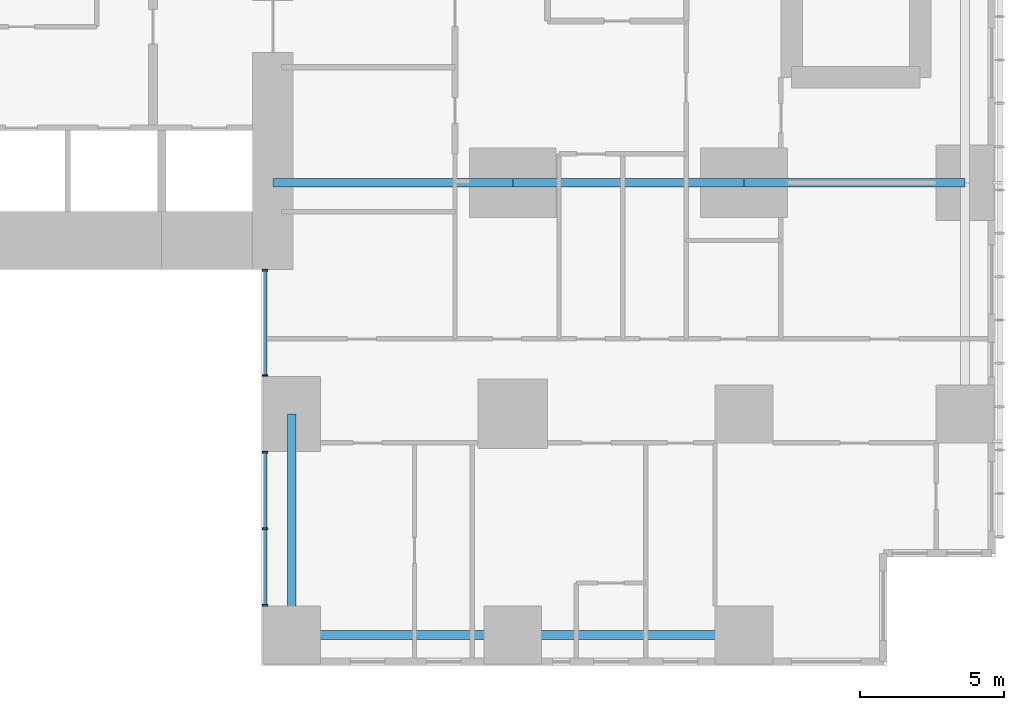
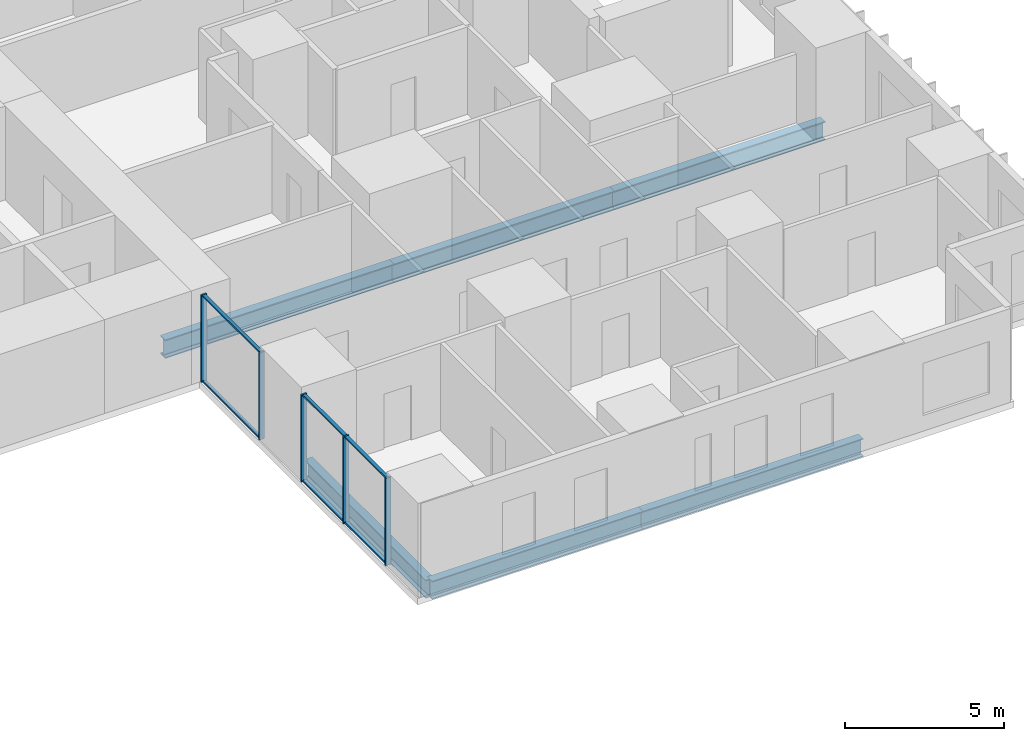
# One storey, part 3 of 20: 11 members, 6 beams, 2 elements without a shape of their own.
"""IFC4 building model written with IfcOpenShell, lengths in metres."""

from ifc_helpers import new_model, si_unit, direction, frame, origin, origin_2d, place, context, subcontext, project, spatial, rectangle, i_section, extrude, material, layer, layer_set, material_profile, profile_set, type_object, element, aggregate, save


model = new_model("IFC4")

# Units and contexts
model_context = context("Model", 3, precision=1e-05, world=origin(), true_north=direction((0.0, 1.0)))
body_context = subcontext(model_context, "Body", "Model", "MODEL_VIEW")
ifc_project = project(units=[si_unit("LENGTHUNIT", "METRE"), si_unit("AREAUNIT", "SQUARE_METRE"), si_unit("VOLUMEUNIT", "CUBIC_METRE"), si_unit("PLANEANGLEUNIT", "RADIAN"), si_unit("MASSUNIT", "GRAM", prefix="KILO")], contexts=[model_context])

# Site, building, storey
site_placement = place(None, origin())
site = spatial("IfcSite", under=ifc_project, at=site_placement, CompositionType="ELEMENT")
building_placement = place(site_placement, origin())
building = spatial("IfcBuilding", under=site, at=building_placement, Name="Cleftline Residences", CompositionType="ELEMENT")
storey_placement = place(building_placement, frame((0.0, 0.0, 76.39990234375)))
storey = spatial("IfcBuildingStorey", under=building, at=storey_placement, Name="L19", CompositionType="ELEMENT", Elevation=76.39990234375)

# Beams
ifc_material_1 = material(Name="Steel S355", Category="steel")
ifc_material_profile_1 = material_profile(ifc_material_1, i_section(OverallWidth=0.300048828125, OverallDepth=0.699951171875, WebThickness=0.01708984375, FlangeThickness=0.031982421875, FilletRadius=0.027099609375, at=origin_2d()))
ifc_profile_set_1 = profile_set([ifc_material_profile_1], Name="Steel S355")
beam_type_1 = type_object("IfcBeamType", Name="BEAM HEB 700", PredefinedType="BEAM", material=ifc_profile_set_1)
beam_1_placement = place(storey_placement, frame((58.0, 0.35009765625, -0.599853515625), z_axis=(-1.0, 0.0, 0.0), x_axis=(0.0, -1.0, 0.0)))
element("IfcBeam", 1, at=beam_1_placement, inside=storey, type_object=beam_type_1, Name="Edge beam", PredefinedType="BEAM", context=body_context, shape_type="SweptSolid", body=[
    extrude(i_section(OverallWidth=0.300048828125, OverallDepth=0.699951171875, WebThickness=0.01708984375, FlangeThickness=0.031982421875, FilletRadius=0.027099609375, at=origin_2d()), origin(), (0.0, 0.0, 1.0), 8.0),
])
for number, where, z_axis, x_axis, name in (
    (2, (50.0, 0.35009765625, -0.599853515625), (-1.0, 0.0, 0.0), (0.0, -1.0, 0.0), "Edge beam"),
    (3, (42.35009765625, 0.35009765625, -0.599853515625), (0.0, 1.0, 0.0), (-1.0, 0.0, 0.0), "Edge beam"),
):
    element("IfcBeam", number, at=place(storey_placement, frame(where, z_axis=z_axis, x_axis=x_axis)), inside=storey, type_object=beam_type_1, Name=name, PredefinedType="BEAM", context=body_context, shape_type="SweptSolid", body=[
        extrude(i_section(OverallWidth=0.300048828125, OverallDepth=0.699951171875, WebThickness=0.01708984375, FlangeThickness=0.031982421875, FilletRadius=0.027099609375, at=origin_2d()), origin(), (0.0, 0.0, 1.0), 7.64990234375),
    ])
ifc_material_2 = material(Name="Steel S355", Category="steel")
ifc_material_profile_2 = material_profile(ifc_material_2, i_section(OverallWidth=0.303955078125, OverallDepth=0.716064453125, WebThickness=0.02099609375, FlangeThickness=0.0400390625, FilletRadius=0.027099609375, at=origin_2d()))
ifc_profile_set_2 = profile_set([ifc_material_profile_2], Name="Steel S355")
beam_type_2 = type_object("IfcBeamType", Name="BEAM HEM 700", PredefinedType="BEAM", material=ifc_profile_set_2)
beam_2_placement = place(storey_placement, frame((65.64990234375, 16.0, -0.60791015625), z_axis=(-1.0, 0.0, 0.0), x_axis=(0.0, -1.0, 0.0)))
element("IfcBeam", 4, at=beam_2_placement, inside=storey, type_object=beam_type_2, Name="Band beam", PredefinedType="BEAM", context=body_context, shape_type="SweptSolid", body=[
    extrude(i_section(OverallWidth=0.303955078125, OverallDepth=0.716064453125, WebThickness=0.02099609375, FlangeThickness=0.0400390625, FilletRadius=0.027099609375, at=origin_2d()), origin(), (0.0, 0.0, 1.0), 7.64990234375),
])
beam_3_placement = place(storey_placement, frame((58.0, 16.0, -0.60791015625), z_axis=(-1.0, 0.0, 0.0), x_axis=(0.0, -1.0, 0.0)))
element("IfcBeam", 5, at=beam_3_placement, inside=storey, type_object=beam_type_2, Name="Band beam", PredefinedType="BEAM", context=body_context, shape_type="SweptSolid", body=[
    extrude(i_section(OverallWidth=0.303955078125, OverallDepth=0.716064453125, WebThickness=0.02099609375, FlangeThickness=0.0400390625, FilletRadius=0.027099609375, at=origin_2d()), origin(), (0.0, 0.0, 1.0), 8.0),
])
beam_4_placement = place(storey_placement, frame((50.0, 16.0, -0.60791015625), z_axis=(-1.0, 0.0, 0.0), x_axis=(0.0, -1.0, 0.0)))
element("IfcBeam", 6, at=beam_4_placement, inside=storey, type_object=beam_type_2, Name="Band beam", PredefinedType="BEAM", context=body_context, shape_type="SweptSolid", body=[
    extrude(i_section(OverallWidth=0.303955078125, OverallDepth=0.716064453125, WebThickness=0.02099609375, FlangeThickness=0.0400390625, FilletRadius=0.027099609375, at=origin_2d()), origin(), (0.0, 0.0, 1.0), 8.300048828125),
])

# Curtain wall, members
ifc_material_3 = material(Name="Aluminium framed curtain wall", Category="aluminium")
ifc_layer = layer(ifc_material_3, 0.199951171875)
ifc_layer_set = layer_set([ifc_layer], Name="CW1 CLEFT GLAZING")
curtain_wall_type = type_object("IfcCurtainWallType", Name="CW1 CLEFT GLAZING", PredefinedType="NOTDEFINED", material=ifc_layer_set)
curtain_wall_1_placement = place(storey_placement, origin())
curtain_wall_1 = element("IfcCurtainWall", 7, at=curtain_wall_1_placement, inside=storey, type_object=curtain_wall_type, Name="Curtain wall CW1", PredefinedType="NOTDEFINED")
ifc_material_4 = material(Name="Aluminium mullion", Category="aluminium")
ifc_material_profile_3 = material_profile(ifc_material_4, rectangle(XDim=0.199951171875, YDim=0.06005859375, at=origin_2d()))
ifc_profile_set_3 = profile_set([ifc_material_profile_3], Name="Aluminium mullion")
member_type_1 = type_object("IfcMemberType", Name="CW1 MULLION", PredefinedType="MULLION", material=ifc_profile_set_3)
member_1_placement = place(storey_placement, frame((41.425048828125, 12.969970703125, 0.0), z_axis=(0.0, 0.0, 1.0), x_axis=(1.0, 0.0, 0.0)))
member_1 = element("IfcMember", 8, at=member_1_placement, type_object=member_type_1, Name="CW1 mullion 1", PredefinedType="MULLION", context=body_context, shape_type="SweptSolid", body=[
    extrude(rectangle(XDim=0.199951171875, YDim=0.06005859375, at=origin_2d()), origin(), (0.0, 0.0, 1.0), 3.35009765625),
])
member_2_placement = place(storey_placement, frame((41.425048828125, 9.330078125, 0.0), z_axis=(0.0, 0.0, 1.0), x_axis=(1.0, 0.0, 0.0)))
member_2 = element("IfcMember", 9, at=member_2_placement, type_object=member_type_1, Name="CW1 mullion 2", PredefinedType="MULLION", context=body_context, shape_type="SweptSolid", body=[
    extrude(rectangle(XDim=0.199951171875, YDim=0.06005859375, at=origin_2d()), origin(), (0.0, 0.0, 1.0), 3.35009765625),
])

curtain_wall_2_placement = place(storey_placement, origin())
curtain_wall_2 = element("IfcCurtainWall", 10, at=curtain_wall_2_placement, inside=storey, type_object=curtain_wall_type, Name="Curtain wall CW1", PredefinedType="NOTDEFINED")
member_3_placement = place(storey_placement, frame((41.425048828125, 6.669921875, 0.0), z_axis=(0.0, 0.0, 1.0), x_axis=(1.0, 0.0, 0.0)))
member_3 = element("IfcMember", 11, at=member_3_placement, type_object=member_type_1, Name="CW1 mullion 1", PredefinedType="MULLION", context=body_context, shape_type="SweptSolid", body=[
    extrude(rectangle(XDim=0.199951171875, YDim=0.06005859375, at=origin_2d()), origin(), (0.0, 0.0, 1.0), 3.35009765625),
])
member_4_placement = place(storey_placement, frame((41.425048828125, 4.02490234375, 0.0), z_axis=(0.0, 0.0, 1.0), x_axis=(1.0, 0.0, 0.0)))
member_4 = element("IfcMember", 12, at=member_4_placement, type_object=member_type_1, Name="CW1 mullion 2", PredefinedType="MULLION", context=body_context, shape_type="SweptSolid", body=[
    extrude(rectangle(XDim=0.199951171875, YDim=0.06005859375, at=origin_2d()), origin(), (0.0, 0.0, 1.0), 3.35009765625),
])
member_5_placement = place(storey_placement, frame((41.425048828125, 1.3798828125, 0.0), z_axis=(0.0, 0.0, 1.0), x_axis=(1.0, 0.0, 0.0)))
member_5 = element("IfcMember", 13, at=member_5_placement, type_object=member_type_1, Name="CW1 mullion 3", PredefinedType="MULLION", context=body_context, shape_type="SweptSolid", body=[
    extrude(rectangle(XDim=0.199951171875, YDim=0.06005859375, at=origin_2d()), origin(), (0.0, 0.0, 1.0), 3.35009765625),
])

# Member
ifc_material_5 = material(Name="Aluminium transom", Category="aluminium")
ifc_material_profile_4 = material_profile(ifc_material_5, rectangle(XDim=0.1201171875, YDim=0.06005859375, at=origin_2d()))
ifc_profile_set_4 = profile_set([ifc_material_profile_4], Name="Aluminium transom")
member_type_2 = type_object("IfcMemberType", Name="CW1 TRANSOM", PredefinedType="USERDEFINED", material=ifc_profile_set_4)
member_6_placement = place(storey_placement, frame((41.425048828125, 12.93994140625, 0.030029296875), z_axis=(0.0, -1.0, 0.0), x_axis=(1.0, 0.0, 0.0)))
member_6 = element("IfcMember", 14, at=member_6_placement, type_object=member_type_2, Name="CW1 transom 1.1", ObjectType="TRANSOM", PredefinedType="USERDEFINED", context=body_context, shape_type="SweptSolid", body=[
    extrude(rectangle(XDim=0.1201171875, YDim=0.06005859375, at=origin_2d()), origin(), (0.0, 0.0, 1.0), 3.579833984375),
])

member_7_placement = place(storey_placement, frame((41.425048828125, 12.93994140625, 3.320068359375), z_axis=(0.0, -1.0, 0.0), x_axis=(1.0, 0.0, 0.0)))
member_7 = element("IfcMember", 15, at=member_7_placement, type_object=member_type_2, Name="CW1 transom 1.2", ObjectType="TRANSOM", PredefinedType="USERDEFINED", context=body_context, shape_type="SweptSolid", body=[
    extrude(rectangle(XDim=0.1201171875, YDim=0.06005859375, at=origin_2d()), origin(), (0.0, 0.0, 1.0), 3.579833984375),
])

aggregate(curtain_wall_1, [member_1, member_2, member_6, member_7])

member_8_placement = place(storey_placement, frame((41.425048828125, 6.639892578125, 0.030029296875), z_axis=(0.0, -1.0, 0.0), x_axis=(1.0, 0.0, 0.0)))
member_8 = element("IfcMember", 16, at=member_8_placement, type_object=member_type_2, Name="CW1 transom 1.1", ObjectType="TRANSOM", PredefinedType="USERDEFINED", context=body_context, shape_type="SweptSolid", body=[
    extrude(rectangle(XDim=0.1201171875, YDim=0.06005859375, at=origin_2d()), origin(), (0.0, 0.0, 1.0), 2.5849609375),
])

member_9_placement = place(storey_placement, frame((41.425048828125, 6.639892578125, 3.320068359375), z_axis=(0.0, -1.0, 0.0), x_axis=(1.0, 0.0, 0.0)))
member_9 = element("IfcMember", 17, at=member_9_placement, type_object=member_type_2, Name="CW1 transom 1.2", ObjectType="TRANSOM", PredefinedType="USERDEFINED", context=body_context, shape_type="SweptSolid", body=[
    extrude(rectangle(XDim=0.1201171875, YDim=0.06005859375, at=origin_2d()), origin(), (0.0, 0.0, 1.0), 2.5849609375),
])

member_10_placement = place(storey_placement, frame((41.425048828125, 3.9951171875, 0.030029296875), z_axis=(0.0, -1.0, 0.0), x_axis=(1.0, 0.0, 0.0)))
member_10 = element("IfcMember", 18, at=member_10_placement, type_object=member_type_2, Name="CW1 transom 2.1", ObjectType="TRANSOM", PredefinedType="USERDEFINED", context=body_context, shape_type="SweptSolid", body=[
    extrude(rectangle(XDim=0.1201171875, YDim=0.06005859375, at=origin_2d()), origin(), (0.0, 0.0, 1.0), 2.585205078125),
])

member_11_placement = place(storey_placement, frame((41.425048828125, 3.9951171875, 3.320068359375), z_axis=(0.0, -1.0, 0.0), x_axis=(1.0, 0.0, 0.0)))
member_11 = element("IfcMember", 19, at=member_11_placement, type_object=member_type_2, Name="CW1 transom 2.2", ObjectType="TRANSOM", PredefinedType="USERDEFINED", context=body_context, shape_type="SweptSolid", body=[
    extrude(rectangle(XDim=0.1201171875, YDim=0.06005859375, at=origin_2d()), origin(), (0.0, 0.0, 1.0), 2.585205078125),
])

aggregate(curtain_wall_2, [member_3, member_4, member_5, member_8, member_9, member_10, member_11])

save(model, "model.ifc")
